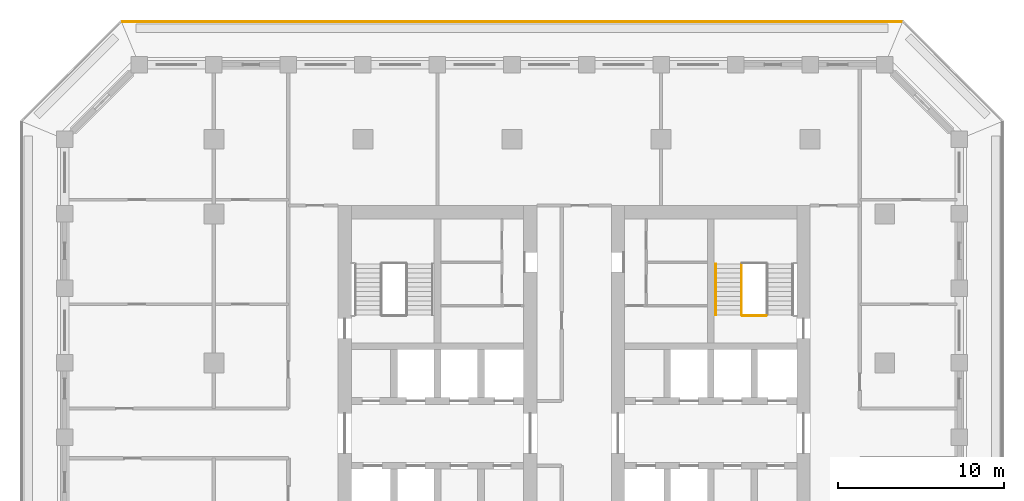
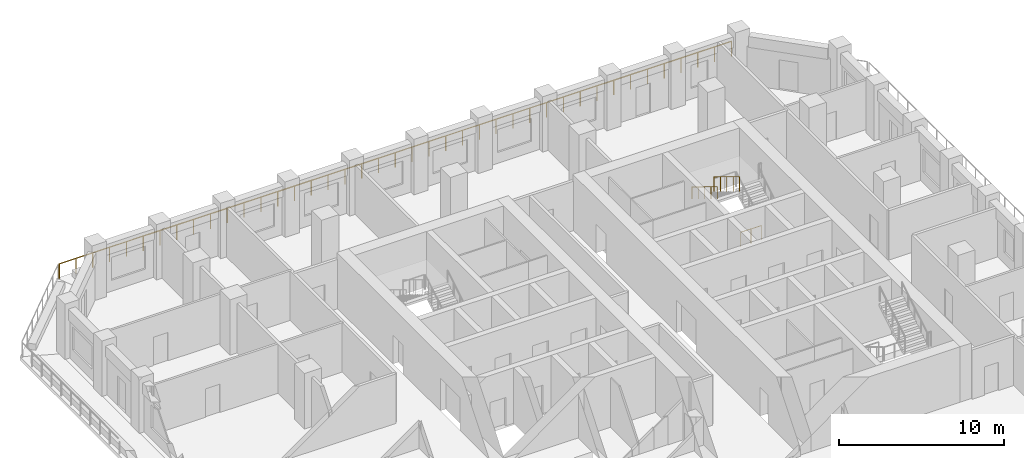
# One storey, part 14 of 16: 4 railings.
"""IFC4 building model written with IfcOpenShell, lengths in metres."""

import ifcopenshell
import ifcopenshell.guid

model = None  # the IFC model being written
_history = None  # IfcOwnerHistory: only IFC2X3 demands one
_inside = {}  # id of a spatial element -> (the spatial element, [elements in it])
_under = {}  # id of a project, library or spatial element -> (it, [spatial elements below it])
_declared = {}  # id of a project -> (the project, [libraries it declares])
_typed = {}  # id of a type object -> (the type object, [elements of that type])
_made_of = {}  # id of a material, layer set ... -> (it, [elements and type objects made of it])


def new_model(schema):
    """Start an empty IFC model of exactly this schema.

    Asked for "IFC4X3", IfcOpenShell would pick the latest addendum, in which some entities
    have other attributes; the version numbers below select the first issue.
    IFC2X3 requires an IfcOwnerHistory on every rooted entity: one is made here for all.
    """
    global model, _history
    if schema == "IFC4X3":
        model = ifcopenshell.file(schema_version=(4, 3, 0, 0))
    else:
        model = ifcopenshell.file(schema=schema)
    _inside.clear()
    _under.clear()
    _declared.clear()
    _typed.clear()
    _made_of.clear()
    _history = None
    if model.schema == "IFC2X3":
        org = make("IfcOrganization", Name="unknown")
        user = make(
            "IfcPersonAndOrganization",
            ThePerson=make("IfcPerson", FamilyName="unknown"),
            TheOrganization=org,
        )
        app = make(
            "IfcApplication",
            ApplicationDeveloper=org,
            Version="unknown",
            ApplicationFullName="unknown",
            ApplicationIdentifier="unknown",
        )
        _history = make(
            "IfcOwnerHistory",
            OwningUser=user,
            OwningApplication=app,
            ChangeAction="ADDED",
            CreationDate=0,
        )
    return model


def make(cls, **values):
    """One entity of the class cls with the attributes given. An attribute that is None is left unset."""
    return model.create_entity(
        cls, **{name: value for name, value in values.items() if value is not None}
    )


def rooted(cls, **values):
    """An entity with a GlobalId (a new one), such as an element, a storey or a relation."""
    return make(cls, GlobalId=ifcopenshell.guid.new(), OwnerHistory=_history, **values)


def si_unit(unit_type, name, prefix=None):
    """IfcSIUnit, for example si_unit("LENGTHUNIT", "METRE", prefix="MILLI")."""
    return make("IfcSIUnit", UnitType=unit_type, Prefix=prefix, Name=name)


def assignment(units):
    """IfcUnitAssignment: the units of a project."""
    return None if units is None else make("IfcUnitAssignment", Units=units)


def point(xyz):
    """IfcCartesianPoint."""
    return None if xyz is None else make("IfcCartesianPoint", Coordinates=xyz)


def direction(xyz):
    """IfcDirection."""
    return None if xyz is None else make("IfcDirection", DirectionRatios=xyz)


def frame(location, z_axis=None, x_axis=None):
    """IfcAxis2Placement3D, a coordinate frame: its origin and axes. An axis left out is left unset."""
    return make(
        "IfcAxis2Placement3D",
        Location=point(location),
        Axis=direction(z_axis),
        RefDirection=direction(x_axis),
    )


def frame_2d(location, x_axis=None):
    """IfcAxis2Placement2D, a coordinate frame in the plane: its origin and x axis."""
    return make(
        "IfcAxis2Placement2D", Location=point(location), RefDirection=direction(x_axis)
    )


def origin():
    """The frame at (0, 0, 0) with its axes left unset."""
    return frame((0.0, 0.0, 0.0))


def origin_2d():
    """The frame at (0, 0) in the plane with its x axis left unset."""
    return frame_2d((0.0, 0.0))


def place(relative_to, where):
    """IfcLocalPlacement: puts the frame where relative to a parent placement (None: the world)."""
    return make(
        "IfcLocalPlacement", PlacementRelTo=relative_to, RelativePlacement=where
    )


def context(
    kind, dimensions, precision=None, world=None, true_north=None, identifier=None
):
    """IfcGeometricRepresentationContext, for example the 3D "Model" context."""
    return make(
        "IfcGeometricRepresentationContext",
        ContextIdentifier=identifier,
        ContextType=kind,
        CoordinateSpaceDimension=dimensions,
        Precision=precision,
        WorldCoordinateSystem=world,
        TrueNorth=true_north,
    )


def subcontext(parent, identifier, kind, view, scale=None):
    """IfcGeometricRepresentationSubContext, for example "Body" below "Model"."""
    return make(
        "IfcGeometricRepresentationSubContext",
        ContextIdentifier=identifier,
        ContextType=kind,
        ParentContext=parent,
        TargetScale=scale,
        TargetView=view,
    )


def project(units=None, contexts=None):
    """IfcProject with its units and contexts."""
    return rooted(
        "IfcProject",
        Name="project",
        RepresentationContexts=contexts,
        UnitsInContext=assignment(units),
    )


def spatial(cls, under=None, at=None, **own):
    """A site, building, storey or space (cls), placed at a placement, below another one or the project."""
    s = rooted(cls, ObjectPlacement=at, **own)
    if under is not None:
        _under.setdefault(under.id(), (under, []))[1].append(s)
    return s


def profile(cls, at=None, kind="AREA", **sizes):
    """A parametric profile (cls). Its sizes go by their IFC names, for example OverallWidth=200.0."""
    return make(cls, ProfileType=kind, Position=at, **sizes)


def circle(**sizes):
    """IfcCircleProfileDef."""
    return profile("IfcCircleProfileDef", **sizes)


def extrude(swept, where, along, depth):
    """IfcExtrudedAreaSolid: the profile swept, set in the frame where, extruded along a direction by depth."""
    return make(
        "IfcExtrudedAreaSolid",
        SweptArea=swept,
        Position=where,
        ExtrudedDirection=direction(along),
        Depth=depth,
    )


def shape(context_of_items, identifier, shape_type, items):
    """IfcShapeRepresentation: the items that make up one representation, for example the "Body"."""
    return make(
        "IfcShapeRepresentation",
        ContextOfItems=context_of_items,
        RepresentationIdentifier=identifier,
        RepresentationType=shape_type,
        Items=items,
    )


def material(Name=None, Category=None):
    """IfcMaterial."""
    return make("IfcMaterial", Name=Name, Category=Category)


def made_of(thing, what):
    """Note that an element or type object is made of a material, layer set ...; save() writes the relation."""
    if what is not None:
        _made_of.setdefault(what.id(), (what, []))[1].append(thing)
    return thing


def type_object(cls, material=None, **own):
    """A type object (cls), such as IfcWallType, which elements share."""
    return made_of(rooted(cls, **own), material)


def element(
    cls,
    number,
    at=None,
    inside=None,
    cuts=None,
    type_object=None,
    material=None,
    context=None,
    identifier="Body",
    shape_type=None,
    held_by="IfcProductDefinitionShape",
    body=None,
    shapes=None,
    **own,
):
    """One element of the class cls, such as IfcWall. Its Tag is "e" and its number.

    at: its placement. inside: the storey or other place that contains it. cuts: it is an
    opening in that element (IfcRelVoidsElement). A single representation is given by context,
    identifier, shape_type and body (its items); several are given by shapes. held_by: the class
    of the entity that holds the representations. save() writes the other relations.
    """
    e = rooted(cls, Tag="e%d" % number, ObjectPlacement=at, **own)
    if body is not None:
        shapes = [shape(context, identifier, shape_type, body)]
    if shapes is not None:
        e.Representation = make(held_by, Representations=shapes)
    if inside is not None:
        _inside.setdefault(inside.id(), (inside, []))[1].append(e)
    if cuts is not None:
        rooted(
            "IfcRelVoidsElement", RelatingBuildingElement=cuts, RelatedOpeningElement=e
        )
    if type_object is not None:
        _typed.setdefault(type_object.id(), (type_object, []))[1].append(e)
    return made_of(e, material)


def aggregate(whole, parts):
    """IfcRelAggregates: a whole, such as a stair, and the parts it consists of."""
    return rooted("IfcRelAggregates", RelatingObject=whole, RelatedObjects=parts)


def save(model, path):
    """Write the relations noted so far, then the file.

    IfcRelAggregates (storeys below a building ...), IfcRelContainedInSpatialStructure (elements
    in a storey), IfcRelDefinesByType, IfcRelAssociatesMaterial and IfcRelDeclares: one each for
    every whole, place, type object, material and project.
    """
    for whole, parts in _under.values():
        aggregate(whole, parts)
    for where, things in _inside.values():
        rooted(
            "IfcRelContainedInSpatialStructure",
            RelatedElements=things,
            RelatingStructure=where,
        )
    for kind, things in _typed.values():
        rooted("IfcRelDefinesByType", RelatedObjects=things, RelatingType=kind)
    for what, things in _made_of.values():
        rooted("IfcRelAssociatesMaterial", RelatedObjects=things, RelatingMaterial=what)
    for by, libraries in _declared.values():
        rooted("IfcRelDeclares", RelatingContext=by, RelatedDefinitions=libraries)
    model.write(path)


model = new_model("IFC4")

# Units and contexts
model_context = context("Model", 3, precision=1e-05, world=origin(), true_north=direction((0.0, 1.0)))
body_context = subcontext(model_context, "Body", "Model", "MODEL_VIEW")
ifc_project = project(units=[si_unit("LENGTHUNIT", "METRE"), si_unit("AREAUNIT", "SQUARE_METRE"), si_unit("VOLUMEUNIT", "CUBIC_METRE"), si_unit("PLANEANGLEUNIT", "RADIAN"), si_unit("MASSUNIT", "GRAM", prefix="KILO")], contexts=[model_context])

# Site, building, storey
site_placement = place(None, origin())
site = spatial("IfcSite", under=ifc_project, at=site_placement, CompositionType="ELEMENT")
building_placement = place(site_placement, origin())
building = spatial("IfcBuilding", under=site, at=building_placement, Name="Corbel Stack Research Tower", CompositionType="ELEMENT")
storey_placement = place(building_placement, frame((0.0, 0.0, 177.300048828125)))
storey = spatial("IfcBuildingStorey", under=building, at=storey_placement, Name="L40", CompositionType="ELEMENT", Elevation=177.300048828125)

# Railings
ifc_material_1 = material(Name="Steel S355", Category="steel")
railing_type_1 = type_object("IfcRailingType", Name="Stair guard 1100", PredefinedType="GUARDRAIL", material=ifc_material_1)
railing_1_placement = place(storey_placement, frame((13.85009765625, 14.97998046875, 2.220703125)))
element("IfcRailing", 1, at=railing_1_placement, inside=storey, type_object=railing_type_1, Name="L40 ST-E2 stair guard 4", PredefinedType="GUARDRAIL", context=body_context, shape_type="SweptSolid", body=[
    extrude(circle(Radius=0.02392578125, at=origin_2d()), frame((0.0, 0.0, 1.076171875), z_axis=(0.0, -0.853666305674, 0.52082035152), x_axis=(1.0, 0.0, 0.0)), (0.0, 0.0, 1.0), 3.608154296875),
    extrude(circle(Radius=0.02099609375, at=origin_2d()), origin(), (0.0, 0.0, 1.0), 1.052001953125),
    extrude(circle(Radius=0.02099609375, at=origin_2d()), frame((0.0, -0.77001953125, 0.4697265625)), (0.0, 0.0, 1.0), 1.052001953125),
    extrude(circle(Radius=0.02099609375, at=origin_2d()), frame((0.0, -1.5400390625, 0.939453125)), (0.0, 0.0, 1.0), 1.052001953125),
    extrude(circle(Radius=0.02099609375, at=origin_2d()), frame((0.0, -2.31005859375, 1.409423828125)), (0.0, 0.0, 1.0), 1.052001953125),
    extrude(circle(Radius=0.02099609375, at=origin_2d()), frame((0.0, -3.080078125, 1.879150390625)), (0.0, 0.0, 1.0), 1.052001953125),
])
railing_2_placement = place(storey_placement, frame((15.35009765625, 11.85009765625, 0.0)))
element("IfcRailing", 2, at=railing_2_placement, inside=storey, type_object=railing_type_1, Name="L40 ST-E2 stair guard 5", PredefinedType="GUARDRAIL", context=body_context, shape_type="SweptSolid", body=[
    extrude(circle(Radius=0.02392578125, at=origin_2d()), frame((0.0, 0.0, 1.076171875), z_axis=(-1.0, 0.0, 0.0), x_axis=(0.0, -1.0, 0.0)), (0.0, 0.0, 1.0), 1.4501953125),
    extrude(circle(Radius=0.02099609375, at=origin_2d()), origin(), (0.0, 0.0, 1.0), 1.052001953125),
    extrude(circle(Radius=0.02099609375, at=origin_2d()), frame((-0.72509765625, 0.0, 0.0)), (0.0, 0.0, 1.0), 1.052001953125),
    extrude(circle(Radius=0.02099609375, at=origin_2d()), frame((-1.4501953125, 0.0, 0.0)), (0.0, 0.0, 1.0), 1.052001953125),
])
ifc_material_2 = material(Name="Steel S355", Category="steel")
railing_type_2 = type_object("IfcRailingType", Name="Stair handrail 900", PredefinedType="HANDRAIL", material=ifc_material_2)
railing_3_placement = place(storey_placement, frame((12.300048828125, 14.97998046875, 2.220703125)))
element("IfcRailing", 3, at=railing_3_placement, inside=storey, type_object=railing_type_2, Name="L40 ST-E2 stair handrail 2", PredefinedType="HANDRAIL", context=body_context, shape_type="SweptSolid", body=[
    extrude(circle(Radius=0.02392578125, at=origin_2d()), frame((0.0, 0.0, 0.8759765625), z_axis=(0.0, -0.853666305674, 0.52082035152), x_axis=(1.0, 0.0, 0.0)), (0.0, 0.0, 1.0), 3.608154296875),
    extrude(circle(Radius=0.02099609375, at=origin_2d()), origin(), (0.0, 0.0, 1.0), 0.851806640625),
    extrude(circle(Radius=0.02099609375, at=origin_2d()), frame((0.0, -0.77001953125, 0.4697265625)), (0.0, 0.0, 1.0), 0.851806640625),
    extrude(circle(Radius=0.02099609375, at=origin_2d()), frame((0.0, -1.5400390625, 0.939453125)), (0.0, 0.0, 1.0), 0.851806640625),
    extrude(circle(Radius=0.02099609375, at=origin_2d()), frame((0.0, -2.31005859375, 1.409423828125)), (0.0, 0.0, 1.0), 0.851806640625),
    extrude(circle(Radius=0.02099609375, at=origin_2d()), frame((0.0, -3.080078125, 1.879150390625)), (0.0, 0.0, 1.0), 0.851806640625),
])
ifc_material_3 = material(Name="Powder-coated steel guard", Category="steel")
railing_type_3 = type_object("IfcRailingType", Name="Steel and glass guard 1100", PredefinedType="GUARDRAIL", material=ifc_material_3)
railing_4_placement = place(storey_placement, frame((23.50537109375, 29.60009765625, 0.0)))
element("IfcRailing", 4, at=railing_4_placement, inside=storey, type_object=railing_type_3, Name="Loggia guard L40 N", PredefinedType="GUARDRAIL", context=body_context, shape_type="SweptSolid", body=[
    extrude(circle(Radius=0.02392578125, at=origin_2d()), frame((0.0, 0.0, 1.076171875), z_axis=(-1.0, 0.0, 0.0), x_axis=(0.0, -1.0, 0.0)), (0.0, 0.0, 1.0), 47.0107421875),
    extrude(circle(Radius=0.02099609375, at=origin_2d()), origin(), (0.0, 0.0, 1.0), 1.052001953125),
    extrude(circle(Radius=0.02099609375, at=origin_2d()), frame((-1.17529296875, 0.0, 0.0)), (0.0, 0.0, 1.0), 1.052001953125),
    extrude(circle(Radius=0.02099609375, at=origin_2d()), frame((-2.3505859375, 0.0, 0.0)), (0.0, 0.0, 1.0), 1.052001953125),
    extrude(circle(Radius=0.02099609375, at=origin_2d()), frame((-3.52587890625, 0.0, 0.0)), (0.0, 0.0, 1.0), 1.052001953125),
    extrude(circle(Radius=0.02099609375, at=origin_2d()), frame((-4.701171875, 0.0, 0.0)), (0.0, 0.0, 1.0), 1.052001953125),
    extrude(circle(Radius=0.02099609375, at=origin_2d()), frame((-5.87646484375, 0.0, 0.0)), (0.0, 0.0, 1.0), 1.052001953125),
    extrude(circle(Radius=0.02099609375, at=origin_2d()), frame((-7.051513671875, 0.0, 0.0)), (0.0, 0.0, 1.0), 1.052001953125),
    extrude(circle(Radius=0.02099609375, at=origin_2d()), frame((-8.226806640625, 0.0, 0.0)), (0.0, 0.0, 1.0), 1.052001953125),
    extrude(circle(Radius=0.02099609375, at=origin_2d()), frame((-9.402099609375, 0.0, 0.0)), (0.0, 0.0, 1.0), 1.052001953125),
    extrude(circle(Radius=0.02099609375, at=origin_2d()), frame((-10.577392578125, 0.0, 0.0)), (0.0, 0.0, 1.0), 1.052001953125),
    extrude(circle(Radius=0.02099609375, at=origin_2d()), frame((-11.752685546875, 0.0, 0.0)), (0.0, 0.0, 1.0), 1.052001953125),
    extrude(circle(Radius=0.02099609375, at=origin_2d()), frame((-12.927978515625, 0.0, 0.0)), (0.0, 0.0, 1.0), 1.052001953125),
    extrude(circle(Radius=0.02099609375, at=origin_2d()), frame((-14.103271484375, 0.0, 0.0)), (0.0, 0.0, 1.0), 1.052001953125),
    extrude(circle(Radius=0.02099609375, at=origin_2d()), frame((-15.278564453125, 0.0, 0.0)), (0.0, 0.0, 1.0), 1.052001953125),
    extrude(circle(Radius=0.02099609375, at=origin_2d()), frame((-16.453857421875, 0.0, 0.0)), (0.0, 0.0, 1.0), 1.052001953125),
    extrude(circle(Radius=0.02099609375, at=origin_2d()), frame((-17.62890625, 0.0, 0.0)), (0.0, 0.0, 1.0), 1.052001953125),
    extrude(circle(Radius=0.02099609375, at=origin_2d()), frame((-18.80419921875, 0.0, 0.0)), (0.0, 0.0, 1.0), 1.052001953125),
    extrude(circle(Radius=0.02099609375, at=origin_2d()), frame((-19.9794921875, 0.0, 0.0)), (0.0, 0.0, 1.0), 1.052001953125),
    extrude(circle(Radius=0.02099609375, at=origin_2d()), frame((-21.15478515625, 0.0, 0.0)), (0.0, 0.0, 1.0), 1.052001953125),
    extrude(circle(Radius=0.02099609375, at=origin_2d()), frame((-22.330078125, 0.0, 0.0)), (0.0, 0.0, 1.0), 1.052001953125),
    extrude(circle(Radius=0.02099609375, at=origin_2d()), frame((-23.50537109375, 0.0, 0.0)), (0.0, 0.0, 1.0), 1.052001953125),
    extrude(circle(Radius=0.02099609375, at=origin_2d()), frame((-24.6806640625, 0.0, 0.0)), (0.0, 0.0, 1.0), 1.052001953125),
    extrude(circle(Radius=0.02099609375, at=origin_2d()), frame((-25.85595703125, 0.0, 0.0)), (0.0, 0.0, 1.0), 1.052001953125),
    extrude(circle(Radius=0.02099609375, at=origin_2d()), frame((-27.03125, 0.0, 0.0)), (0.0, 0.0, 1.0), 1.052001953125),
    extrude(circle(Radius=0.02099609375, at=origin_2d()), frame((-28.20654296875, 0.0, 0.0)), (0.0, 0.0, 1.0), 1.052001953125),
    extrude(circle(Radius=0.02099609375, at=origin_2d()), frame((-29.3818359375, 0.0, 0.0)), (0.0, 0.0, 1.0), 1.052001953125),
    extrude(circle(Radius=0.02099609375, at=origin_2d()), frame((-30.556884765625, 0.0, 0.0)), (0.0, 0.0, 1.0), 1.052001953125),
    extrude(circle(Radius=0.02099609375, at=origin_2d()), frame((-31.732177734375, 0.0, 0.0)), (0.0, 0.0, 1.0), 1.052001953125),
    extrude(circle(Radius=0.02099609375, at=origin_2d()), frame((-32.907470703125, 0.0, 0.0)), (0.0, 0.0, 1.0), 1.052001953125),
    extrude(circle(Radius=0.02099609375, at=origin_2d()), frame((-34.082763671875, 0.0, 0.0)), (0.0, 0.0, 1.0), 1.052001953125),
    extrude(circle(Radius=0.02099609375, at=origin_2d()), frame((-35.258056640625, 0.0, 0.0)), (0.0, 0.0, 1.0), 1.052001953125),
    extrude(circle(Radius=0.02099609375, at=origin_2d()), frame((-36.433349609375, 0.0, 0.0)), (0.0, 0.0, 1.0), 1.052001953125),
    extrude(circle(Radius=0.02099609375, at=origin_2d()), frame((-37.608642578125, 0.0, 0.0)), (0.0, 0.0, 1.0), 1.052001953125),
    extrude(circle(Radius=0.02099609375, at=origin_2d()), frame((-38.783935546875, 0.0, 0.0)), (0.0, 0.0, 1.0), 1.052001953125),
    extrude(circle(Radius=0.02099609375, at=origin_2d()), frame((-39.959228515625, 0.0, 0.0)), (0.0, 0.0, 1.0), 1.052001953125),
    extrude(circle(Radius=0.02099609375, at=origin_2d()), frame((-41.13427734375, 0.0, 0.0)), (0.0, 0.0, 1.0), 1.052001953125),
    extrude(circle(Radius=0.02099609375, at=origin_2d()), frame((-42.3095703125, 0.0, 0.0)), (0.0, 0.0, 1.0), 1.052001953125),
    extrude(circle(Radius=0.02099609375, at=origin_2d()), frame((-43.48486328125, 0.0, 0.0)), (0.0, 0.0, 1.0), 1.052001953125),
    extrude(circle(Radius=0.02099609375, at=origin_2d()), frame((-44.66015625, 0.0, 0.0)), (0.0, 0.0, 1.0), 1.052001953125),
    extrude(circle(Radius=0.02099609375, at=origin_2d()), frame((-45.83544921875, 0.0, 0.0)), (0.0, 0.0, 1.0), 1.052001953125),
    extrude(circle(Radius=0.02099609375, at=origin_2d()), frame((-47.0107421875, 0.0, 0.0)), (0.0, 0.0, 1.0), 1.052001953125),
])

save(model, "model.ifc")
